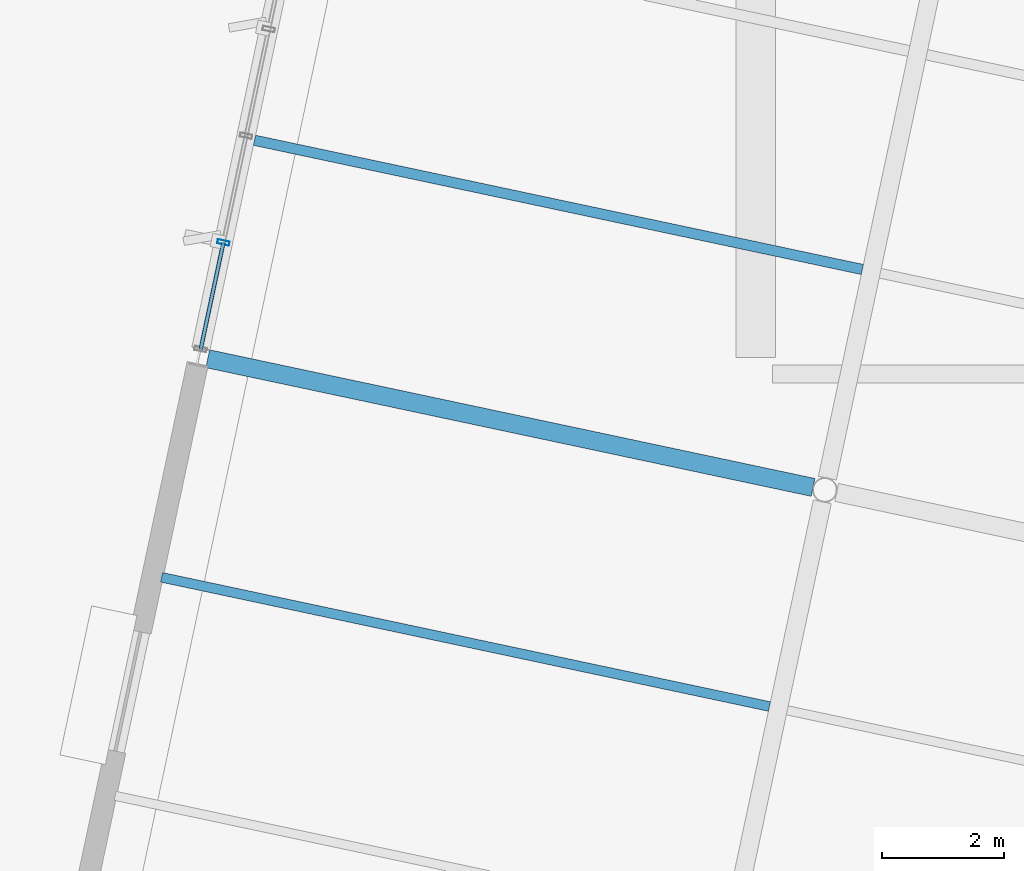
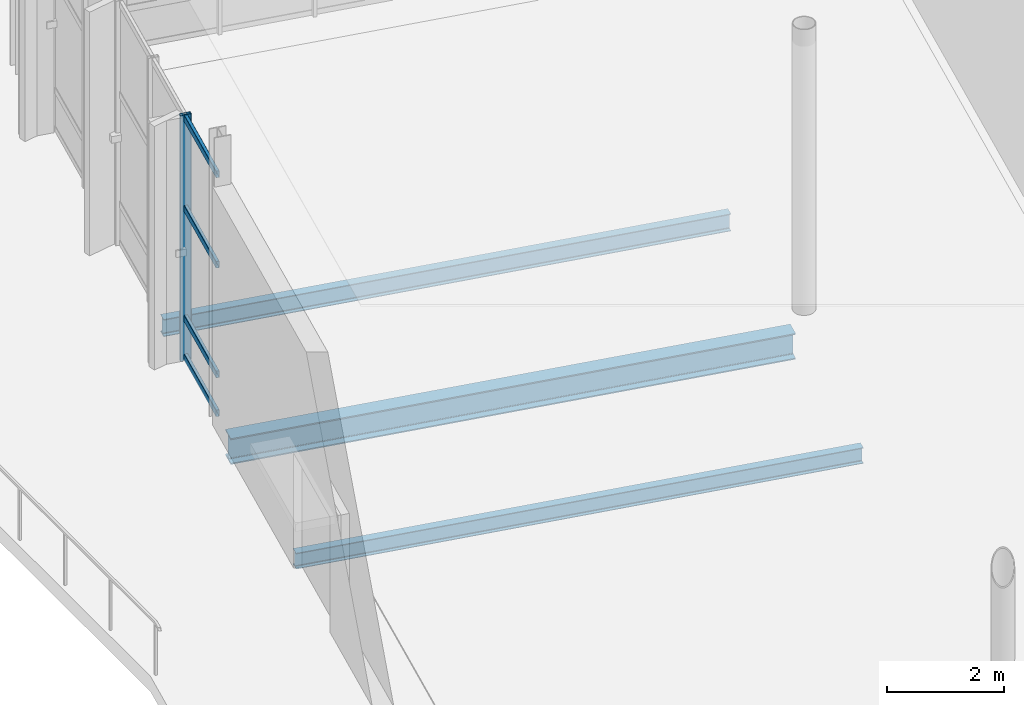
# One storey, part 44 of 163: 5 members, 3 beams, 1 element without a shape of its own.
"""IFC4 building model written with IfcOpenShell, lengths in metres."""

from ifc_helpers import new_model, si_unit, direction, frame, origin, origin_2d, place, context, subcontext, project, spatial, hollow_rectangle, i_section, extrude, material, layer, layer_set, material_profile, profile_set, type_object, element, aggregate, save


model = new_model("IFC4")

# Units and contexts
model_context = context("Model", 3, precision=1e-05, world=origin(), true_north=direction((0.0, 1.0)))
body_context = subcontext(model_context, "Body", "Model", "MODEL_VIEW")
ifc_project = project(units=[si_unit("LENGTHUNIT", "METRE"), si_unit("AREAUNIT", "SQUARE_METRE"), si_unit("VOLUMEUNIT", "CUBIC_METRE"), si_unit("PLANEANGLEUNIT", "RADIAN"), si_unit("MASSUNIT", "GRAM", prefix="KILO")], contexts=[model_context])

# Site, building, storey
site_placement = place(None, origin())
site = spatial("IfcSite", under=ifc_project, at=site_placement, CompositionType="ELEMENT")
building_placement = place(site_placement, origin())
building = spatial("IfcBuilding", under=site, at=building_placement, Name="Khorjan Park Terminus", CompositionType="ELEMENT")
storey_placement = place(building_placement, origin())
storey = spatial("IfcBuildingStorey", under=building, at=storey_placement, Name="L00", CompositionType="ELEMENT", Elevation=0.0)

# Beams
ifc_material_1 = material(Name="Steel S355", Category="steel")
ifc_material_profile_1 = material_profile(ifc_material_1, i_section(OverallWidth=0.3, OverallDepth=0.54, WebThickness=0.0125, FlangeThickness=0.024, FilletRadius=0.027, at=origin_2d()), Name="HEA 550")
ifc_profile_set_1 = profile_set([ifc_material_profile_1], Name="Steel S355")
beam_type_1 = type_object("IfcBeamType", Name="BM-HEA550", PredefinedType="BEAM", material=ifc_profile_set_1)
beam_1_placement = place(storey_placement, frame((1.0029, 74.2487, -0.61), z_axis=(0.978148165063, -0.20790903584, 0.0), x_axis=(0.20790903584, 0.978148165063, 0.0)))
element("IfcBeam", 1, at=beam_1_placement, inside=storey, type_object=beam_type_1, Name="Primary skew-grid floor girder SB-A55 (L00)", PredefinedType="BEAM", context=body_context, shape_type="SweptSolid", body=[
    extrude(i_section(OverallWidth=0.3, OverallDepth=0.54, WebThickness=0.0125, FlangeThickness=0.024, FilletRadius=0.027, at=origin_2d()), origin(), (0.0, 0.0, 1.0), 10.1568),
])
ifc_material_profile_2 = material_profile(ifc_material_1, i_section(OverallWidth=0.16, OverallDepth=0.33, WebThickness=0.0075, FlangeThickness=0.0115, FilletRadius=0.018, at=origin_2d()), Name="IPE 330")
ifc_profile_set_2 = profile_set([ifc_material_profile_2], Name="Steel S355")
beam_type_2 = type_object("IfcBeamType", Name="JS-IPE330", PredefinedType="JOIST", material=ifc_profile_set_2)
beam_2_placement = place(storey_placement, frame((0.2455, 70.6611, -0.505), z_axis=(0.978147562282, -0.207911871719, 0.0), x_axis=(0.207911871719, 0.978147562282, 0.0)))
element("IfcBeam", 2, at=beam_2_placement, inside=storey, type_object=beam_type_2, Name="Secondary composite floor joist SJ-33 (L00)", PredefinedType="JOIST", context=body_context, shape_type="SweptSolid", body=[
    extrude(i_section(OverallWidth=0.16, OverallDepth=0.33, WebThickness=0.0075, FlangeThickness=0.0115, FilletRadius=0.018, at=origin_2d()), origin(), (0.0, 0.0, 1.0), 10.2),
])
ifc_material_profile_3 = material_profile(ifc_material_1, i_section(OverallWidth=0.17, OverallDepth=0.36, WebThickness=0.008, FlangeThickness=0.0127, FilletRadius=0.018, at=origin_2d()), Name="IPE 360")
ifc_profile_set_3 = profile_set([ifc_material_profile_3], Name="Steel S355")
beam_type_3 = type_object("IfcBeamType", Name="JS-IPE360", PredefinedType="JOIST", material=ifc_profile_set_3)
beam_3_placement = place(storey_placement, frame((1.7702, 77.8343, -0.52), z_axis=(0.978147562282, -0.207911871719, 0.0), x_axis=(0.207911871719, 0.978147562282, 0.0)))
element("IfcBeam", 3, at=beam_3_placement, inside=storey, type_object=beam_type_3, Name="Secondary composite floor joist SJ-36 (L00)", PredefinedType="JOIST", context=body_context, shape_type="SweptSolid", body=[
    extrude(i_section(OverallWidth=0.17, OverallDepth=0.36, WebThickness=0.008, FlangeThickness=0.0127, FilletRadius=0.018, at=origin_2d()), origin(), (0.0, 0.0, 1.0), 10.2),
])

# Curtain wall, members
ifc_material_2 = material(Name="Anodized Bronze Aluminium", Category="aluminium")
ifc_layer = layer(ifc_material_2, 0.22)
ifc_layer_set = layer_set([ifc_layer], Name="Anodized Bronze Aluminium")
curtain_wall_type = type_object("IfcCurtainWallType", Name="CW-PAV-C", PredefinedType="NOTDEFINED", material=ifc_layer_set)
curtain_wall_placement = place(storey_placement, origin())
curtain_wall = element("IfcCurtainWall", 4, at=curtain_wall_placement, inside=storey, type_object=curtain_wall_type, Name="Unitized curtain wall CW-C (CW-V4-W-L00-B01)", PredefinedType="NOTDEFINED")
ifc_material_profile_4 = material_profile(ifc_material_2, hollow_rectangle(XDim=0.07, YDim=0.2, WallThickness=0.005, InnerFilletRadius=0.005, OuterFilletRadius=0.01, at=origin_2d()), Name="ALM 70x200x5")
ifc_profile_set_4 = profile_set([ifc_material_profile_4], Name="Anodized Bronze Aluminium")
member_type_1 = type_object("IfcMemberType", Name="ML-ALM-200", PredefinedType="MULLION", material=ifc_profile_set_4)
member_1_placement = place(storey_placement, frame((1.2603, 76.1569, -0.035), z_axis=(0.0, 0.0, 1.0), x_axis=(-0.207916776669, -0.978146519689, 0.0)))
member_1 = element("IfcMember", 5, at=member_1_placement, type_object=member_type_1, Name="Curtain-wall mullion ML-20 (CW-V4-W-L00-B01-5)", PredefinedType="MULLION", context=body_context, shape_type="SweptSolid", body=[
    extrude(hollow_rectangle(XDim=0.07, YDim=0.2, WallThickness=0.005, InnerFilletRadius=0.005, OuterFilletRadius=0.01, at=origin_2d()), origin(), (0.0, 0.0, 1.0), 5.135),
])
ifc_material_profile_5 = material_profile(ifc_material_2, hollow_rectangle(XDim=0.065, YDim=0.14, WallThickness=0.004, InnerFilletRadius=0.004, OuterFilletRadius=0.008, at=origin_2d()), Name="ALT 65x140x4")
ifc_profile_set_5 = profile_set([ifc_material_profile_5], Name="Anodized Bronze Aluminium")
member_type_2 = type_object("IfcMemberType", Name="TR-ALT-140", PredefinedType="USERDEFINED", material=ifc_profile_set_5)
member_2_placement = place(storey_placement, frame((1.2603, 76.1569, 0.04), z_axis=(-0.207941609461, -0.978141240852, 0.0), x_axis=(0.978141240852, -0.207941609461, 0.0)))
member_2 = element("IfcMember", 6, at=member_2_placement, type_object=member_type_2, Name="Curtain-wall transom TR-14 (CW-V4-W-L00-B01-5-1)", ObjectType="TRANSOM", PredefinedType="USERDEFINED", context=body_context, shape_type="SweptSolid", body=[
    extrude(hollow_rectangle(XDim=0.065, YDim=0.14, WallThickness=0.004, InnerFilletRadius=0.004, OuterFilletRadius=0.008, at=origin_2d()), origin(), (0.0, 0.0, 1.0), 1.7899),
])
member_3_placement = place(storey_placement, frame((1.2603, 76.1569, 0.85), z_axis=(-0.207941609461, -0.978141240852, 0.0), x_axis=(0.978141240852, -0.207941609461, 0.0)))
member_3 = element("IfcMember", 7, at=member_3_placement, type_object=member_type_2, Name="Curtain-wall transom TR-14 (CW-V4-W-L00-B01-5-2)", ObjectType="TRANSOM", PredefinedType="USERDEFINED", context=body_context, shape_type="SweptSolid", body=[
    extrude(hollow_rectangle(XDim=0.065, YDim=0.14, WallThickness=0.004, InnerFilletRadius=0.004, OuterFilletRadius=0.008, at=origin_2d()), origin(), (0.0, 0.0, 1.0), 1.7899),
])
member_4_placement = place(storey_placement, frame((1.2603, 76.1569, 3.1403), z_axis=(-0.207941609461, -0.978141240852, 0.0), x_axis=(0.978141240852, -0.207941609461, 0.0)))
member_4 = element("IfcMember", 8, at=member_4_placement, type_object=member_type_2, Name="Curtain-wall transom TR-14 (CW-V4-W-L00-B01-5-3)", ObjectType="TRANSOM", PredefinedType="USERDEFINED", context=body_context, shape_type="SweptSolid", body=[
    extrude(hollow_rectangle(XDim=0.065, YDim=0.14, WallThickness=0.004, InnerFilletRadius=0.004, OuterFilletRadius=0.008, at=origin_2d()), origin(), (0.0, 0.0, 1.0), 1.7899),
])
member_5_placement = place(storey_placement, frame((1.2603, 76.1569, 5.025), z_axis=(-0.207941609461, -0.978141240852, 0.0), x_axis=(0.978141240852, -0.207941609461, 0.0)))
member_5 = element("IfcMember", 9, at=member_5_placement, type_object=member_type_2, Name="Curtain-wall transom TR-14 (CW-V4-W-L00-B01-5-4)", ObjectType="TRANSOM", PredefinedType="USERDEFINED", context=body_context, shape_type="SweptSolid", body=[
    extrude(hollow_rectangle(XDim=0.065, YDim=0.14, WallThickness=0.004, InnerFilletRadius=0.004, OuterFilletRadius=0.008, at=origin_2d()), origin(), (0.0, 0.0, 1.0), 1.7899),
])
aggregate(curtain_wall, [member_1, member_2, member_3, member_4, member_5])

save(model, "model.ifc")
